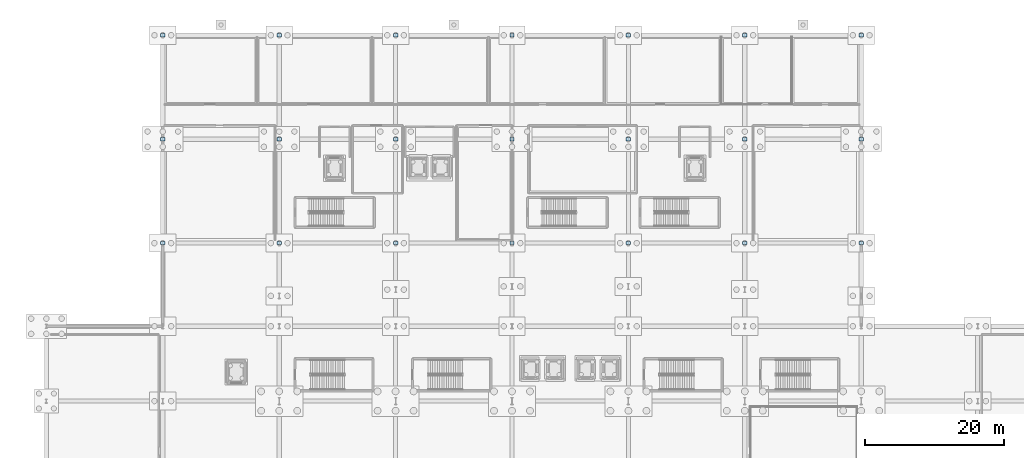
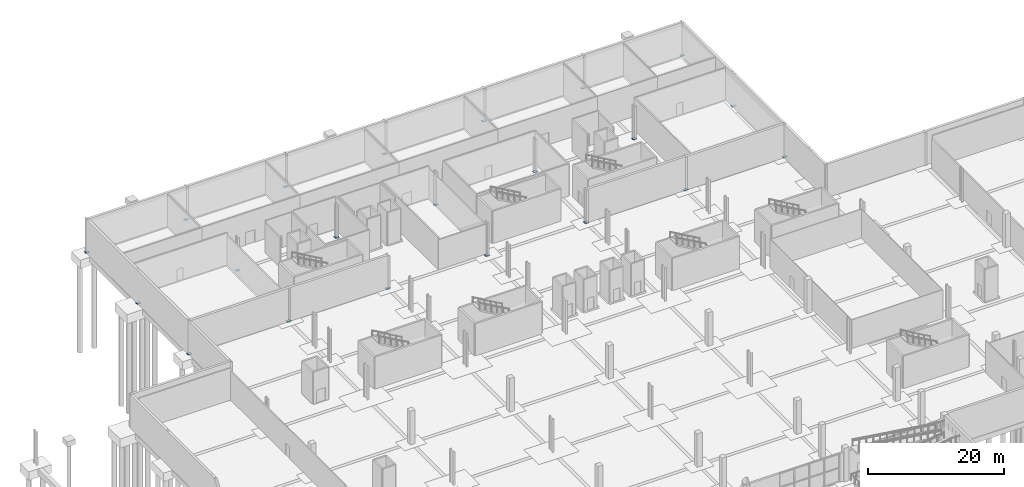
# One storey, part 24 of 46: 21 plates.
"""IFC4 building model written with IfcOpenShell, lengths in metres."""

from ifc_helpers import new_model, si_unit, direction, frame, origin, origin_2d, place, context, subcontext, project, spatial, rectangle, extrude, material, layer, layer_set, type_object, element, save


model = new_model("IFC4")

# Units and contexts
model_context = context("Model", 3, precision=1e-05, world=origin(), true_north=direction((0.0, 1.0)))
body_context = subcontext(model_context, "Body", "Model", "MODEL_VIEW")
ifc_project = project(units=[si_unit("LENGTHUNIT", "METRE"), si_unit("AREAUNIT", "SQUARE_METRE"), si_unit("VOLUMEUNIT", "CUBIC_METRE"), si_unit("PLANEANGLEUNIT", "RADIAN"), si_unit("MASSUNIT", "GRAM", prefix="KILO")], contexts=[model_context])

# Site, building, storey
site_placement = place(None, origin())
site = spatial("IfcSite", under=ifc_project, at=site_placement, CompositionType="ELEMENT")
building_placement = place(site_placement, origin())
building = spatial("IfcBuilding", under=site, at=building_placement, Name="Kimbaza Rail Terminus", CompositionType="ELEMENT")
storey_placement = place(building_placement, frame((0.0, 0.0, -6.0)))
storey = spatial("IfcBuildingStorey", under=building, at=storey_placement, Name="B1", CompositionType="ELEMENT", Elevation=-6.0)

# Plates
ifc_material = material(Name="Steel S355", Category="steel")
ifc_layer = layer(ifc_material, 0.0380859375)
ifc_layer_set = layer_set([ifc_layer], Name="Steel S355")
plate_type = type_object("IfcPlateType", Name="STR-PL-BP01", PredefinedType="USERDEFINED", material=ifc_layer_set)
for number, where, z_axis, x_axis, name in (
    (1, (55.199951171875, 103.0, 0.0), (0.0, 0.0, 1.0), (1.0, 0.0, 0.0), "Column Base Plate V5 (0,0)"),
    (2, (55.199951171875, 118.0, 0.0), (0.0, 0.0, 1.0), (1.0, 0.0, 0.0), "Column Base Plate V5 (0,1)"),
    (3, (55.199951171875, 133.0, 0.0), (0.0, 0.0, 1.0), (1.0, 0.0, 0.0), "Column Base Plate V5 (0,2)"),
    (4, (72.0, 103.0, 0.0), (0.0, 0.0, 1.0), (1.0, 0.0, 0.0), "Column Base Plate V5 (1,0)"),
    (5, (72.0, 118.0, 0.0), (0.0, 0.0, 1.0), (1.0, 0.0, 0.0), "Column Base Plate V5 (1,1)"),
    (6, (72.0, 133.0, 0.0), (0.0, 0.0, 1.0), (1.0, 0.0, 0.0), "Column Base Plate V5 (1,2)"),
    (7, (88.800048828125, 103.0, 0.0), (0.0, 0.0, 1.0), (1.0, 0.0, 0.0), "Column Base Plate V5 (2,0)"),
    (8, (88.800048828125, 118.0, 0.0), (0.0, 0.0, 1.0), (1.0, 0.0, 0.0), "Column Base Plate V5 (2,1)"),
    (9, (88.800048828125, 133.0, 0.0), (0.0, 0.0, 1.0), (1.0, 0.0, 0.0), "Column Base Plate V5 (2,2)"),
    (10, (105.60009765625, 103.0, 0.0), (0.0, 0.0, 1.0), (1.0, 0.0, 0.0), "Column Base Plate V5 (3,0)"),
    (11, (105.60009765625, 118.0, 0.0), (0.0, 0.0, 1.0), (1.0, 0.0, 0.0), "Column Base Plate V5 (3,1)"),
    (12, (105.60009765625, 133.0, 0.0), (0.0, 0.0, 1.0), (1.0, 0.0, 0.0), "Column Base Plate V5 (3,2)"),
    (13, (122.39990234375, 103.0, 0.0), (0.0, 0.0, 1.0), (1.0, 0.0, 0.0), "Column Base Plate V5 (4,0)"),
    (14, (122.39990234375, 118.0, 0.0), (0.0, 0.0, 1.0), (1.0, 0.0, 0.0), "Column Base Plate V5 (4,1)"),
    (15, (122.39990234375, 133.0, 0.0), (0.0, 0.0, 1.0), (1.0, 0.0, 0.0), "Column Base Plate V5 (4,2)"),
    (16, (139.199951171875, 103.0, 0.0), (0.0, 0.0, 1.0), (1.0, 0.0, 0.0), "Column Base Plate V5 (5,0)"),
    (17, (139.199951171875, 118.0, 0.0), (0.0, 0.0, 1.0), (1.0, 0.0, 0.0), "Column Base Plate V5 (5,1)"),
    (18, (139.199951171875, 133.0, 0.0), (0.0, 0.0, 1.0), (1.0, 0.0, 0.0), "Column Base Plate V5 (5,2)"),
    (19, (156.0, 103.0, 0.0), (0.0, 0.0, 1.0), (1.0, 0.0, 0.0), "Column Base Plate V5 (6,0)"),
    (20, (156.0, 118.0, 0.0), (0.0, 0.0, 1.0), (1.0, 0.0, 0.0), "Column Base Plate V5 (6,1)"),
    (21, (156.0, 133.0, 0.0), (0.0, 0.0, 1.0), (1.0, 0.0, 0.0), "Column Base Plate V5 (6,2)"),
):
    element("IfcPlate", number, at=place(storey_placement, frame(where, z_axis=z_axis, x_axis=x_axis)), inside=storey, type_object=plate_type, Name=name, ObjectType="GUSSET PLATE", PredefinedType="USERDEFINED", context=body_context, shape_type="SweptSolid", body=[
        extrude(rectangle(XDim=0.639892578125, YDim=0.4599609375, at=origin_2d()), origin(), (0.0, 0.0, 1.0), 0.0380859375),
    ])

save(model, "model.ifc")
